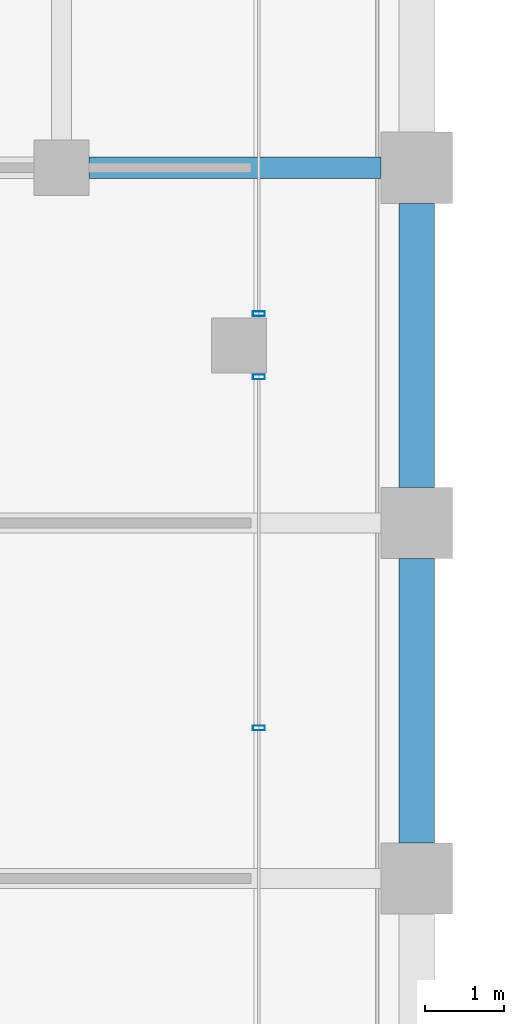
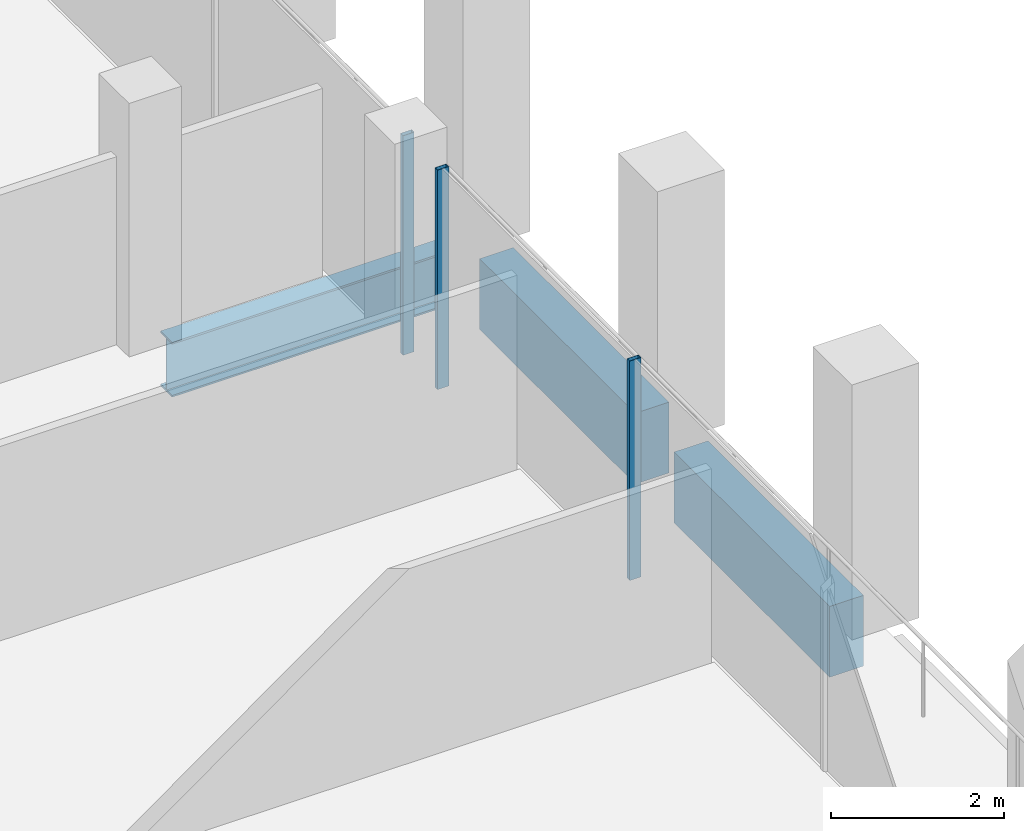
# One storey, part 19 of 40: 3 beams, 3 members, 2 elements without a shape of their own.
"""IFC4 building model written with IfcOpenShell, lengths in metres."""

from ifc_helpers import new_model, si_unit, direction, frame, origin, origin_2d, place, context, subcontext, project, spatial, rectangle, hollow_rectangle, i_section, extrude, material, material_profile, profile_set, type_object, element, aggregate, save


model = new_model("IFC4")

# Units and contexts
model_context = context("Model", 3, precision=1e-05, world=origin(), true_north=direction((0.0, 1.0)))
body_context = subcontext(model_context, "Body", "Model", "MODEL_VIEW")
ifc_project = project(units=[si_unit("LENGTHUNIT", "METRE"), si_unit("AREAUNIT", "SQUARE_METRE"), si_unit("VOLUMEUNIT", "CUBIC_METRE"), si_unit("PLANEANGLEUNIT", "RADIAN"), si_unit("MASSUNIT", "GRAM", prefix="KILO")], contexts=[model_context])

# Site, building, storey
site_placement = place(None, origin())
site = spatial("IfcSite", under=ifc_project, at=site_placement, CompositionType="ELEMENT")
building_placement = place(site_placement, origin())
building = spatial("IfcBuilding", under=site, at=building_placement, Name="Altepetl Exchange Towers", CompositionType="ELEMENT")
storey_placement = place(building_placement, frame((0.0, 0.0, 151.0)))
storey = spatial("IfcBuildingStorey", under=building, at=storey_placement, Name="L37", CompositionType="ELEMENT", Elevation=151.0)

# Beam
ifc_material_1 = material(Name="Steel S355", Category="steel")
ifc_material_profile_1 = material_profile(ifc_material_1, i_section(OverallWidth=0.26806640625, OverallDepth=0.77392578125, WebThickness=0.015380859375, FlangeThickness=0.025390625, at=origin_2d()), Name="W30X132")
ifc_profile_set_1 = profile_set([ifc_material_profile_1], Name="Steel S355")
beam_type_1 = type_object("IfcBeamType", Name="Girder W30X132", PredefinedType="BEAM", material=ifc_profile_set_1)
beam_placement = place(storey_placement, frame((67.85009765625, 58.5, -0.537109375), z_axis=(1.0, 0.0, 0.0), x_axis=(0.0, 1.0, 0.0)))
element("IfcBeam", 1, at=beam_placement, inside=storey, type_object=beam_type_1, Name="gd:A:L37:002", PredefinedType="BEAM", context=body_context, shape_type="SweptSolid", body=[
    extrude(i_section(OverallWidth=0.26806640625, OverallDepth=0.77392578125, WebThickness=0.015380859375, FlangeThickness=0.025390625, at=origin_2d()), origin(), (0.0, 0.0, 1.0), 3.699951171875),
])

# Curtain wall, members
ifc_material_2 = material(Name="Aluminium 6063-T6 glazing", Category="aluminium")
curtain_wall_type = type_object("IfcCurtainWallType", Name="Loggia glazing system", PredefinedType="NOTDEFINED", material=ifc_material_2)
curtain_wall_1_placement = place(storey_placement, origin())
curtain_wall_1 = element("IfcCurtainWall", 2, at=curtain_wall_1_placement, inside=storey, type_object=curtain_wall_type, Name="CW1 run", PredefinedType="NOTDEFINED")
ifc_material_3 = material(Name="Aluminium 6063-T6", Category="aluminium")
ifc_material_profile_2 = material_profile(ifc_material_3, hollow_rectangle(XDim=0.06005859375, YDim=0.14990234375, WallThickness=0.0029296875, at=origin_2d()), Name="Mullion 60x150 aluminium")
ifc_profile_set_2 = profile_set([ifc_material_profile_2], Name="Aluminium 6063-T6")
member_type = type_object("IfcMemberType", Name="Mullion 60x150 aluminium", PredefinedType="MULLION", material=ifc_profile_set_2)
member_1_placement = place(storey_placement, frame((70.0, 51.404052734375, 0.0), z_axis=(0.0, 0.0, 1.0), x_axis=(0.0, 1.0, 0.0)))
member_1 = element("IfcMember", 3, at=member_1_placement, type_object=member_type, Name="MU1 mullion", PredefinedType="MULLION", context=body_context, shape_type="SweptSolid", body=[
    extrude(hollow_rectangle(XDim=0.06005859375, YDim=0.14990234375, WallThickness=0.0029296875, at=origin_2d()), origin(), (0.0, 0.0, 1.0), 3.10009765625),
])
member_2_placement = place(storey_placement, frame((70.0, 55.85009765625, 0.0), z_axis=(0.0, 0.0, 1.0), x_axis=(0.0, 1.0, 0.0)))
member_2 = element("IfcMember", 4, at=member_2_placement, type_object=member_type, Name="MU1 mullion", PredefinedType="MULLION", context=body_context, shape_type="SweptSolid", body=[
    extrude(hollow_rectangle(XDim=0.06005859375, YDim=0.14990234375, WallThickness=0.0029296875, at=origin_2d()), origin(), (0.0, 0.0, 1.0), 3.10009765625),
])
aggregate(curtain_wall_1, [member_1, member_2])

# Curtain wall, member
curtain_wall_2_placement = place(storey_placement, origin())
curtain_wall_2 = element("IfcCurtainWall", 5, at=curtain_wall_2_placement, inside=storey, type_object=curtain_wall_type, Name="CW1 run", PredefinedType="NOTDEFINED")
member_3_placement = place(storey_placement, frame((70.0, 56.64990234375, 0.0), z_axis=(0.0, 0.0, 1.0), x_axis=(0.0, 1.0, 0.0)))
member_3 = element("IfcMember", 6, at=member_3_placement, type_object=member_type, Name="MU1 mullion", PredefinedType="MULLION", context=body_context, shape_type="SweptSolid", body=[
    extrude(hollow_rectangle(XDim=0.06005859375, YDim=0.14990234375, WallThickness=0.0029296875, at=origin_2d()), origin(), (0.0, 0.0, 1.0), 3.10009765625),
])
aggregate(curtain_wall_2, [member_3])

# Beams
ifc_material_4 = material(Name="Concrete C50/60 precast with cantera amarilla facing", Category="concrete")
ifc_material_profile_3 = material_profile(ifc_material_4, rectangle(XDim=0.449951171875, YDim=1.0, at=origin_2d()), Name="450 x 1000")
ifc_profile_set_3 = profile_set([ifc_material_profile_3], Name="Concrete C50/60 precast with cantera amarilla facing")
beam_type_2 = type_object("IfcBeamType", Name="Spandrel beam 450x1000 cantera amarilla", PredefinedType="SPANDREL", material=ifc_profile_set_3)
for number, where, z_axis, x_axis, name in (
    (7, (72.0, 49.949951171875, -0.64990234375), (0.0, 1.0, 0.0), (-1.0, 0.0, 0.0), "sp:A:L37:016"),
    (8, (72.0, 54.449951171875, -0.64990234375), (0.0, 1.0, 0.0), (-1.0, 0.0, 0.0), "sp:A:L37:017"),
):
    element("IfcBeam", number, at=place(storey_placement, frame(where, z_axis=z_axis, x_axis=x_axis)), inside=storey, type_object=beam_type_2, Name=name, PredefinedType="SPANDREL", context=body_context, shape_type="SweptSolid", body=[
        extrude(rectangle(XDim=0.449951171875, YDim=1.0, at=origin_2d()), origin(), (0.0, 0.0, 1.0), 3.60009765625),
    ])

save(model, "model.ifc")
